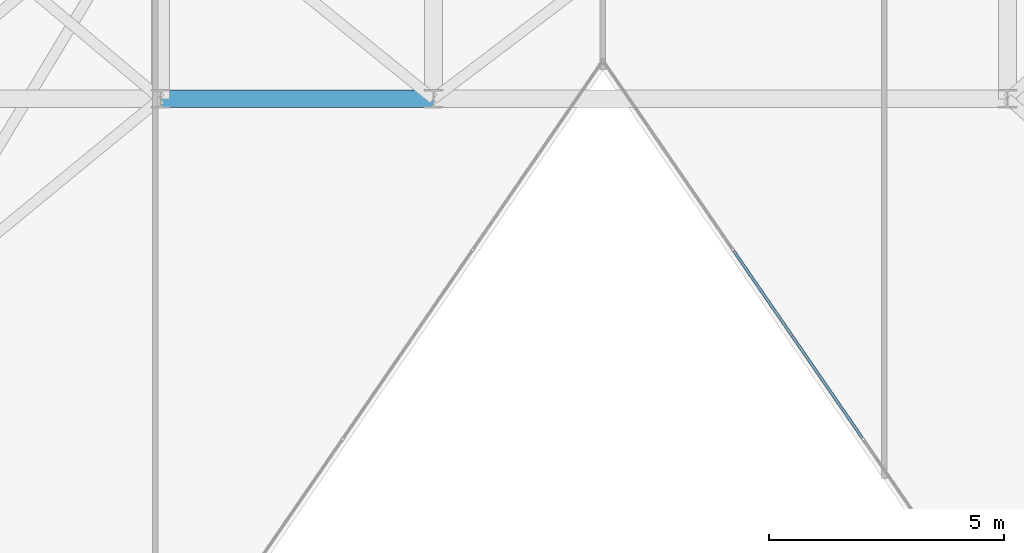
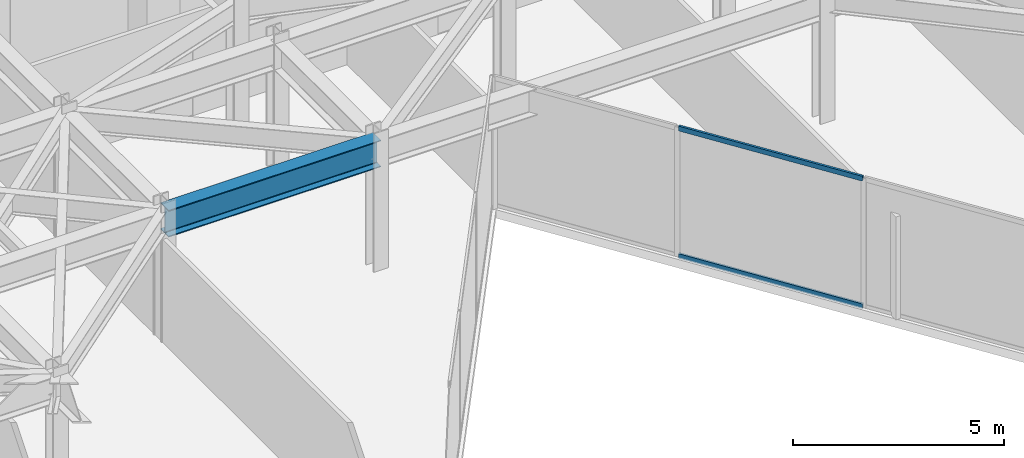
# One storey, part 5 of 21: 2 members, 1 beam, 1 element without a shape of its own.
"""IFC4 building model written with IfcOpenShell, lengths in metres."""

from ifc_helpers import new_model, si_unit, direction, frame, origin, origin_2d, place, context, subcontext, project, spatial, hollow_rectangle, i_section, extrude, material, layer, layer_set, material_profile, profile_set, type_object, element, aggregate, save


model = new_model("IFC4")

# Units and contexts
model_context = context("Model", 3, precision=1e-05, world=origin(), true_north=direction((0.0, 1.0)))
body_context = subcontext(model_context, "Body", "Model", "MODEL_VIEW")
ifc_project = project(units=[si_unit("LENGTHUNIT", "METRE"), si_unit("AREAUNIT", "SQUARE_METRE"), si_unit("VOLUMEUNIT", "CUBIC_METRE"), si_unit("PLANEANGLEUNIT", "RADIAN"), si_unit("MASSUNIT", "GRAM", prefix="KILO")], contexts=[model_context])

# Site, building, storey
site_placement = place(None, origin())
site = spatial("IfcSite", under=ifc_project, at=site_placement, CompositionType="ELEMENT")
building_placement = place(site_placement, origin())
building = spatial("IfcBuilding", under=site, at=building_placement, Name="Kravanh Interchange Tower", CompositionType="ELEMENT")
storey_placement = place(building_placement, frame((0.0, 0.0, 216.5)))
storey = spatial("IfcBuildingStorey", under=building, at=storey_placement, Name="L52", CompositionType="ELEMENT", Elevation=216.5)

# Curtain wall, members
ifc_material_1 = material(Name="Anodised Bronze Aluminium", Category="aluminium")
ifc_layer = layer(ifc_material_1, 0.179931640625)
ifc_layer_set = layer_set([ifc_layer], Name="Unitised Curtain Wall System CW-Z3 Upper Office")
curtain_wall_type = type_object("IfcCurtainWallType", Name="Unitised Curtain Wall System CW-Z3 Upper Office", PredefinedType="NOTDEFINED", material=ifc_layer_set)
curtain_wall_placement = place(storey_placement, origin())
curtain_wall = element("IfcCurtainWall", 1, at=curtain_wall_placement, inside=storey, type_object=curtain_wall_type, Name="L52 Unitised Curtain Wall CW-L52-03", PredefinedType="NOTDEFINED")
ifc_material_2 = material(Name="Anodised Bronze Aluminium", Category="aluminium")
ifc_material_profile_1 = material_profile(ifc_material_2, hollow_rectangle(XDim=0.06005859375, YDim=0.139892578125, WallThickness=0.00390625, at=origin_2d()), Name="ALU60X140X4")
ifc_profile_set_1 = profile_set([ifc_material_profile_1], Name="Anodised Bronze Aluminium")
member_type = type_object("IfcMemberType", Name="Curtain Wall Transom ALU60X140X4 Bronze", PredefinedType="USERDEFINED", material=ifc_profile_set_1)
member_1_placement = place(storey_placement, frame((47.714599609375, 19.590576171875, 0.030029296875), z_axis=(-0.566537417683, 0.824036015211, 0.0), x_axis=(-0.824036015211, -0.566537417683, 0.0)))
member_1 = element("IfcMember", 2, at=member_1_placement, type_object=member_type, Name="CW-Z3 transom 3.1", ObjectType="TRANSOM", PredefinedType="USERDEFINED", context=body_context, shape_type="SweptSolid", body=[
    extrude(hollow_rectangle(XDim=0.06005859375, YDim=0.139892578125, WallThickness=0.00390625, at=origin_2d()), origin(), (0.0, 0.0, 1.0), 4.822265625),
])
member_2_placement = place(storey_placement, frame((47.714599609375, 19.590576171875, 3.715087890625), z_axis=(-0.566537417683, 0.824036015211, 0.0), x_axis=(-0.824036015211, -0.566537417683, 0.0)))
member_2 = element("IfcMember", 3, at=member_2_placement, type_object=member_type, Name="CW-Z3 transom 3.2", ObjectType="TRANSOM", PredefinedType="USERDEFINED", context=body_context, shape_type="SweptSolid", body=[
    extrude(hollow_rectangle(XDim=0.06005859375, YDim=0.139892578125, WallThickness=0.00390625, at=origin_2d()), origin(), (0.0, 0.0, 1.0), 4.822265625),
])
aggregate(curtain_wall, [member_1, member_2])

# Beam
ifc_material_3 = material(Name="Structural Steel S355", Category="steel")
ifc_material_profile_2 = material_profile(ifc_material_3, i_section(OverallWidth=0.381103515625, OverallDepth=0.77294921875, WebThickness=0.0166015625, FlangeThickness=0.027099609375, FilletRadius=0.02490234375, at=origin_2d()), Name="W30X173")
ifc_profile_set_2 = profile_set([ifc_material_profile_2], Name="Structural Steel S355")
beam_type = type_object("IfcBeamType", Name="Floor Beam W30X173 Structural Steel S355", PredefinedType="BEAM", material=ifc_profile_set_2)
beam_placement = place(storey_placement, frame((32.800048828125, 26.800048828125, 3.3583984375), z_axis=(1.0, 0.0, 0.0), x_axis=(0.0, 1.0, 0.0)))
element("IfcBeam", 4, at=beam_placement, inside=storey, type_object=beam_type, Name="L52 Primary Floor Girder 42", PredefinedType="BEAM", context=body_context, shape_type="SweptSolid", body=[
    extrude(i_section(OverallWidth=0.381103515625, OverallDepth=0.77294921875, WebThickness=0.0166015625, FlangeThickness=0.027099609375, FilletRadius=0.02490234375, at=origin_2d()), origin(), (0.0, 0.0, 1.0), 5.800048828125),
])

save(model, "model.ifc")
